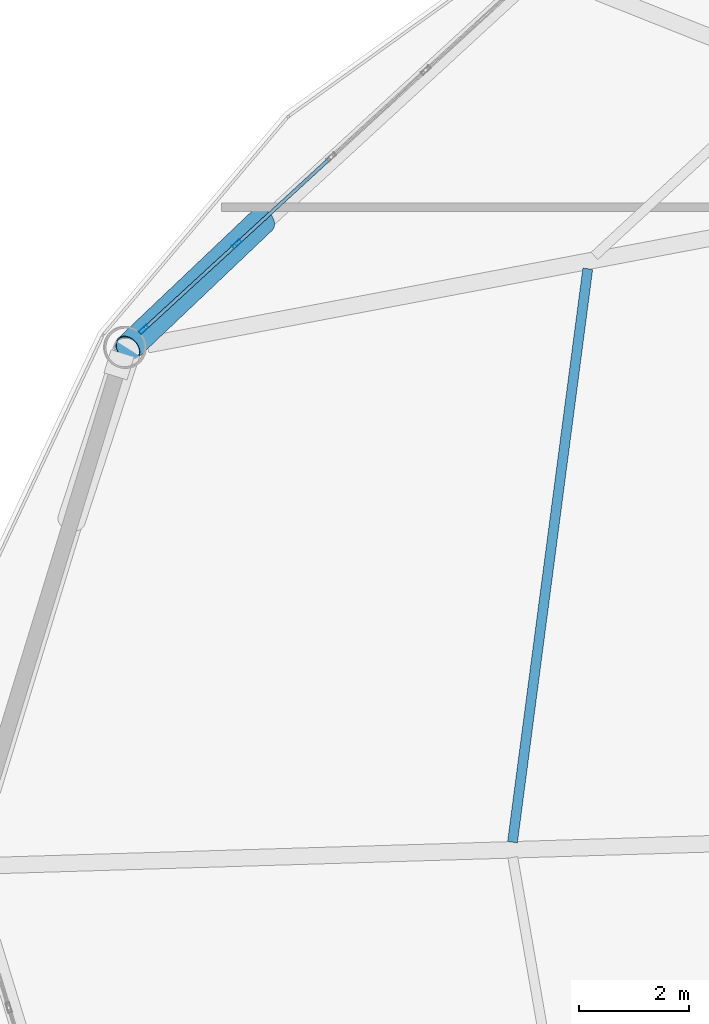
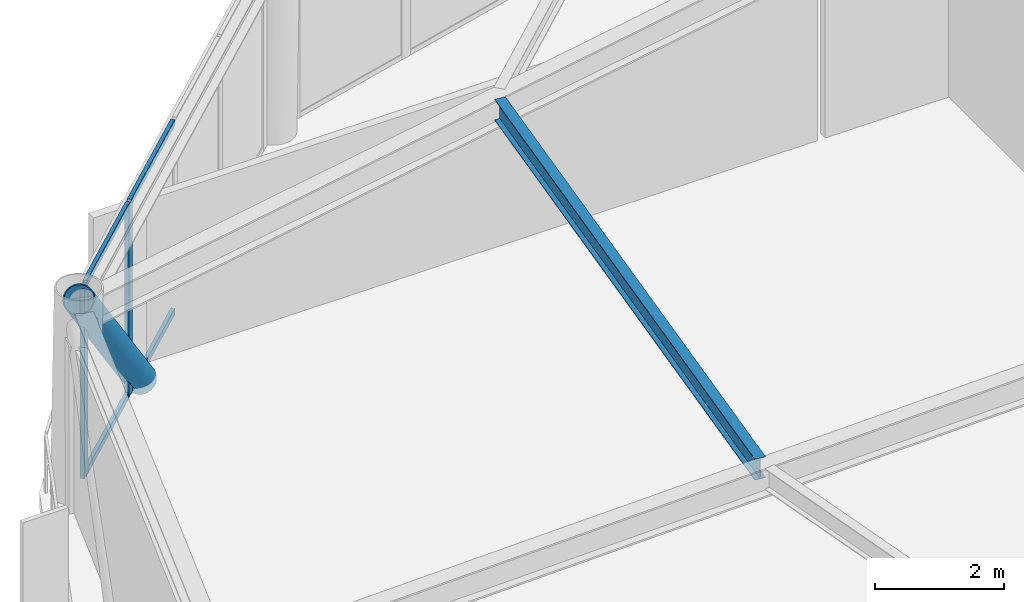
# One storey, part 11 of 26: 7 members, 1 beam, 1 element without a shape of its own.
"""IFC4 building model written with IfcOpenShell, lengths in metres."""

import ifcopenshell
import ifcopenshell.guid

model = None  # the IFC model being written
_history = None  # IfcOwnerHistory: only IFC2X3 demands one
_inside = {}  # id of a spatial element -> (the spatial element, [elements in it])
_under = {}  # id of a project, library or spatial element -> (it, [spatial elements below it])
_declared = {}  # id of a project -> (the project, [libraries it declares])
_typed = {}  # id of a type object -> (the type object, [elements of that type])
_made_of = {}  # id of a material, layer set ... -> (it, [elements and type objects made of it])


def new_model(schema):
    """Start an empty IFC model of exactly this schema.

    Asked for "IFC4X3", IfcOpenShell would pick the latest addendum, in which some entities
    have other attributes; the version numbers below select the first issue.
    IFC2X3 requires an IfcOwnerHistory on every rooted entity: one is made here for all.
    """
    global model, _history
    if schema == "IFC4X3":
        model = ifcopenshell.file(schema_version=(4, 3, 0, 0))
    else:
        model = ifcopenshell.file(schema=schema)
    _inside.clear()
    _under.clear()
    _declared.clear()
    _typed.clear()
    _made_of.clear()
    _history = None
    if model.schema == "IFC2X3":
        org = make("IfcOrganization", Name="unknown")
        user = make(
            "IfcPersonAndOrganization",
            ThePerson=make("IfcPerson", FamilyName="unknown"),
            TheOrganization=org,
        )
        app = make(
            "IfcApplication",
            ApplicationDeveloper=org,
            Version="unknown",
            ApplicationFullName="unknown",
            ApplicationIdentifier="unknown",
        )
        _history = make(
            "IfcOwnerHistory",
            OwningUser=user,
            OwningApplication=app,
            ChangeAction="ADDED",
            CreationDate=0,
        )
    return model


def make(cls, **values):
    """One entity of the class cls with the attributes given. An attribute that is None is left unset."""
    return model.create_entity(
        cls, **{name: value for name, value in values.items() if value is not None}
    )


def rooted(cls, **values):
    """An entity with a GlobalId (a new one), such as an element, a storey or a relation."""
    return make(cls, GlobalId=ifcopenshell.guid.new(), OwnerHistory=_history, **values)


def si_unit(unit_type, name, prefix=None):
    """IfcSIUnit, for example si_unit("LENGTHUNIT", "METRE", prefix="MILLI")."""
    return make("IfcSIUnit", UnitType=unit_type, Prefix=prefix, Name=name)


def assignment(units):
    """IfcUnitAssignment: the units of a project."""
    return None if units is None else make("IfcUnitAssignment", Units=units)


def point(xyz):
    """IfcCartesianPoint."""
    return None if xyz is None else make("IfcCartesianPoint", Coordinates=xyz)


def direction(xyz):
    """IfcDirection."""
    return None if xyz is None else make("IfcDirection", DirectionRatios=xyz)


def frame(location, z_axis=None, x_axis=None):
    """IfcAxis2Placement3D, a coordinate frame: its origin and axes. An axis left out is left unset."""
    return make(
        "IfcAxis2Placement3D",
        Location=point(location),
        Axis=direction(z_axis),
        RefDirection=direction(x_axis),
    )


def frame_2d(location, x_axis=None):
    """IfcAxis2Placement2D, a coordinate frame in the plane: its origin and x axis."""
    return make(
        "IfcAxis2Placement2D", Location=point(location), RefDirection=direction(x_axis)
    )


def origin():
    """The frame at (0, 0, 0) with its axes left unset."""
    return frame((0.0, 0.0, 0.0))


def origin_2d():
    """The frame at (0, 0) in the plane with its x axis left unset."""
    return frame_2d((0.0, 0.0))


def place(relative_to, where):
    """IfcLocalPlacement: puts the frame where relative to a parent placement (None: the world)."""
    return make(
        "IfcLocalPlacement", PlacementRelTo=relative_to, RelativePlacement=where
    )


def context(
    kind, dimensions, precision=None, world=None, true_north=None, identifier=None
):
    """IfcGeometricRepresentationContext, for example the 3D "Model" context."""
    return make(
        "IfcGeometricRepresentationContext",
        ContextIdentifier=identifier,
        ContextType=kind,
        CoordinateSpaceDimension=dimensions,
        Precision=precision,
        WorldCoordinateSystem=world,
        TrueNorth=true_north,
    )


def subcontext(parent, identifier, kind, view, scale=None):
    """IfcGeometricRepresentationSubContext, for example "Body" below "Model"."""
    return make(
        "IfcGeometricRepresentationSubContext",
        ContextIdentifier=identifier,
        ContextType=kind,
        ParentContext=parent,
        TargetScale=scale,
        TargetView=view,
    )


def project(units=None, contexts=None):
    """IfcProject with its units and contexts."""
    return rooted(
        "IfcProject",
        Name="project",
        RepresentationContexts=contexts,
        UnitsInContext=assignment(units),
    )


def spatial(cls, under=None, at=None, **own):
    """A site, building, storey or space (cls), placed at a placement, below another one or the project."""
    s = rooted(cls, ObjectPlacement=at, **own)
    if under is not None:
        _under.setdefault(under.id(), (under, []))[1].append(s)
    return s


def profile(cls, at=None, kind="AREA", **sizes):
    """A parametric profile (cls). Its sizes go by their IFC names, for example OverallWidth=200.0."""
    return make(cls, ProfileType=kind, Position=at, **sizes)


def hollow_rectangle(**sizes):
    """IfcRectangleHollowProfileDef."""
    return profile("IfcRectangleHollowProfileDef", **sizes)


def hollow_circle(**sizes):
    """IfcCircleHollowProfileDef."""
    return profile("IfcCircleHollowProfileDef", **sizes)


def i_section(**sizes):
    """IfcIShapeProfileDef."""
    return profile("IfcIShapeProfileDef", **sizes)


def extrude(swept, where, along, depth):
    """IfcExtrudedAreaSolid: the profile swept, set in the frame where, extruded along a direction by depth."""
    return make(
        "IfcExtrudedAreaSolid",
        SweptArea=swept,
        Position=where,
        ExtrudedDirection=direction(along),
        Depth=depth,
    )


def shape(context_of_items, identifier, shape_type, items):
    """IfcShapeRepresentation: the items that make up one representation, for example the "Body"."""
    return make(
        "IfcShapeRepresentation",
        ContextOfItems=context_of_items,
        RepresentationIdentifier=identifier,
        RepresentationType=shape_type,
        Items=items,
    )


def material(Name=None, Category=None):
    """IfcMaterial."""
    return make("IfcMaterial", Name=Name, Category=Category)


def layer(
    of_material, thickness, ventilated=None, Name=None, Category=None, Priority=None
):
    """IfcMaterialLayer: one layer of a wall or slab, of a material (None: an air gap)."""
    return make(
        "IfcMaterialLayer",
        Material=of_material,
        LayerThickness=thickness,
        IsVentilated=ventilated,
        Name=Name,
        Category=Category,
        Priority=Priority,
    )


def layer_set(layers, Name=None):
    """IfcMaterialLayerSet."""
    return make("IfcMaterialLayerSet", MaterialLayers=layers, LayerSetName=Name)


def material_profile(
    of_material, cross_section, Name=None, Category=None, Priority=None
):
    """IfcMaterialProfile: a cross section and its material."""
    return make(
        "IfcMaterialProfile",
        Name=Name,
        Material=of_material,
        Profile=cross_section,
        Priority=Priority,
        Category=Category,
    )


def profile_set(profiles, Name=None, composite=None):
    """IfcMaterialProfileSet."""
    return make(
        "IfcMaterialProfileSet",
        Name=Name,
        MaterialProfiles=profiles,
        CompositeProfile=composite,
    )


def made_of(thing, what):
    """Note that an element or type object is made of a material, layer set ...; save() writes the relation."""
    if what is not None:
        _made_of.setdefault(what.id(), (what, []))[1].append(thing)
    return thing


def type_object(cls, material=None, **own):
    """A type object (cls), such as IfcWallType, which elements share."""
    return made_of(rooted(cls, **own), material)


def element(
    cls,
    number,
    at=None,
    inside=None,
    cuts=None,
    type_object=None,
    material=None,
    context=None,
    identifier="Body",
    shape_type=None,
    held_by="IfcProductDefinitionShape",
    body=None,
    shapes=None,
    **own,
):
    """One element of the class cls, such as IfcWall. Its Tag is "e" and its number.

    at: its placement. inside: the storey or other place that contains it. cuts: it is an
    opening in that element (IfcRelVoidsElement). A single representation is given by context,
    identifier, shape_type and body (its items); several are given by shapes. held_by: the class
    of the entity that holds the representations. save() writes the other relations.
    """
    e = rooted(cls, Tag="e%d" % number, ObjectPlacement=at, **own)
    if body is not None:
        shapes = [shape(context, identifier, shape_type, body)]
    if shapes is not None:
        e.Representation = make(held_by, Representations=shapes)
    if inside is not None:
        _inside.setdefault(inside.id(), (inside, []))[1].append(e)
    if cuts is not None:
        rooted(
            "IfcRelVoidsElement", RelatingBuildingElement=cuts, RelatedOpeningElement=e
        )
    if type_object is not None:
        _typed.setdefault(type_object.id(), (type_object, []))[1].append(e)
    return made_of(e, material)


def aggregate(whole, parts):
    """IfcRelAggregates: a whole, such as a stair, and the parts it consists of."""
    return rooted("IfcRelAggregates", RelatingObject=whole, RelatedObjects=parts)


def save(model, path):
    """Write the relations noted so far, then the file.

    IfcRelAggregates (storeys below a building ...), IfcRelContainedInSpatialStructure (elements
    in a storey), IfcRelDefinesByType, IfcRelAssociatesMaterial and IfcRelDeclares: one each for
    every whole, place, type object, material and project.
    """
    for whole, parts in _under.values():
        aggregate(whole, parts)
    for where, things in _inside.values():
        rooted(
            "IfcRelContainedInSpatialStructure",
            RelatedElements=things,
            RelatingStructure=where,
        )
    for kind, things in _typed.values():
        rooted("IfcRelDefinesByType", RelatedObjects=things, RelatingType=kind)
    for what, things in _made_of.values():
        rooted("IfcRelAssociatesMaterial", RelatedObjects=things, RelatingMaterial=what)
    for by, libraries in _declared.values():
        rooted("IfcRelDeclares", RelatingContext=by, RelatedDefinitions=libraries)
    model.write(path)


model = new_model("IFC4")

# Units and contexts
model_context = context("Model", 3, precision=1e-05, world=origin(), true_north=direction((0.0, 1.0)))
body_context = subcontext(model_context, "Body", "Model", "MODEL_VIEW")
ifc_project = project(units=[si_unit("LENGTHUNIT", "METRE"), si_unit("AREAUNIT", "SQUARE_METRE"), si_unit("VOLUMEUNIT", "CUBIC_METRE"), si_unit("PLANEANGLEUNIT", "RADIAN"), si_unit("MASSUNIT", "GRAM", prefix="KILO")], contexts=[model_context])

# Site, building, storey
site_placement = place(None, origin())
site = spatial("IfcSite", under=ifc_project, at=site_placement, CompositionType="ELEMENT")
building_placement = place(site_placement, origin())
building = spatial("IfcBuilding", under=site, at=building_placement, Name="Varnakorn Sky Granary", CompositionType="ELEMENT")
storey_placement = place(building_placement, frame((0.0, 0.0, 153.89990234375)))
storey = spatial("IfcBuildingStorey", under=building, at=storey_placement, Name="L38", CompositionType="ELEMENT", Elevation=153.89990234375)

# Beam
ifc_material_1 = material(Name="Steel S355JR", Category="steel")
ifc_material_profile_1 = material_profile(ifc_material_1, i_section(OverallWidth=0.179931640625, OverallDepth=0.39990234375, WebThickness=0.008544921875, FlangeThickness=0.013427734375, at=origin_2d()), Name="IPE 400")
ifc_profile_set_1 = profile_set([ifc_material_profile_1], Name="Steel S355JR")
beam_type = type_object("IfcBeamType", Name="BM-SEC-Z3", PredefinedType="BEAM", material=ifc_profile_set_1)
beam_placement = place(storey_placement, frame((-10.887939453125, 10.880615234375, 3.440185546875), z_axis=(-0.130157690885, -0.991493305829, 0.0), x_axis=(0.991493305829, -0.130157690885, 0.0)))
element("IfcBeam", 1, at=beam_placement, inside=storey, type_object=beam_type, Name="Secondary Floor Chord Beam MSB06 L38", PredefinedType="BEAM", context=body_context, shape_type="SweptSolid", body=[
    extrude(i_section(OverallWidth=0.179931640625, OverallDepth=0.39990234375, WebThickness=0.008544921875, FlangeThickness=0.013427734375, at=origin_2d()), origin(), (0.0, 0.0, 1.0), 10.5322265625),
])

# Curtain wall, members
ifc_material_2 = material(Name="Anodised Bronze Aluminium Alloy 6063-T6", Category="aluminium")
ifc_layer = layer(ifc_material_2, 0.179931640625, Name="Anodised Bronze Aluminium Alloy 6063-T6")
ifc_layer_set = layer_set([ifc_layer], Name="Anodised Bronze Aluminium Alloy 6063-T6")
curtain_wall_type = type_object("IfcCurtainWallType", Name="CW-FRM-2", PredefinedType="USERDEFINED", material=ifc_layer_set)
curtain_wall_placement = place(storey_placement, origin())
curtain_wall = element("IfcCurtainWall", 2, at=curtain_wall_placement, inside=storey, type_object=curtain_wall_type, Name="Unitised Curtain Wall CW4 CW-L38-B05", ObjectType="CURTAIN WALL", PredefinedType="USERDEFINED")
ifc_material_profile_2 = material_profile(ifc_material_2, hollow_rectangle(XDim=0.070068359375, YDim=0.18505859375, WallThickness=0.00390625, at=origin_2d()), Name="ALU MULL 70x185")
ifc_profile_set_2 = profile_set([ifc_material_profile_2], Name="Anodised Bronze Aluminium Alloy 6063-T6")
member_type_1 = type_object("IfcMemberType", Name="CW-FRM-2-MULL", PredefinedType="MULLION", material=ifc_profile_set_2)
member_1_placement = place(storey_placement, frame((-18.973876953125, 9.7744140625, 0.0), z_axis=(0.0, 0.0, 1.0), x_axis=(-0.676471797865, 0.736468537477, 0.0)))
member_1 = element("IfcMember", 3, at=member_1_placement, type_object=member_type_1, Name="CW4 mullion 1", PredefinedType="MULLION", context=body_context, shape_type="SweptSolid", body=[
    extrude(hollow_rectangle(XDim=0.070068359375, YDim=0.18505859375, WallThickness=0.00390625, at=origin_2d()), origin(), (0.0, 0.0, 1.0), 3.64013671875),
])
member_2_placement = place(storey_placement, frame((-17.27880859375, 11.33154296875, 0.0), z_axis=(0.0, 0.0, 1.0), x_axis=(-0.676471797865, 0.736468537477, 0.0)))
member_2 = element("IfcMember", 4, at=member_2_placement, type_object=member_type_1, Name="CW4 mullion 2", PredefinedType="MULLION", context=body_context, shape_type="SweptSolid", body=[
    extrude(hollow_rectangle(XDim=0.070068359375, YDim=0.18505859375, WallThickness=0.00390625, at=origin_2d()), origin(), (0.0, 0.0, 1.0), 3.64013671875),
])
ifc_material_profile_3 = material_profile(ifc_material_2, hollow_rectangle(XDim=0.06494140625, YDim=0.1201171875, WallThickness=0.00341796875, at=origin_2d()), Name="ALU TRAN 65x120")
ifc_profile_set_3 = profile_set([ifc_material_profile_3], Name="Anodised Bronze Aluminium Alloy 6063-T6")
member_type_2 = type_object("IfcMemberType", Name="CW-FRM-2-TRAN", PredefinedType="USERDEFINED", material=ifc_profile_set_3)
member_3_placement = place(storey_placement, frame((-18.9482421875, 9.798095703125, 0.03271484375), z_axis=(0.736495410887, 0.676442539867, 0.0), x_axis=(-0.676442539867, 0.736495410887, 0.0)))
member_3 = element("IfcMember", 5, at=member_3_placement, type_object=member_type_2, Name="CW4 transom 1.1", ObjectType="TRANSOM", PredefinedType="USERDEFINED", context=body_context, shape_type="SweptSolid", body=[
    extrude(hollow_rectangle(XDim=0.06494140625, YDim=0.1201171875, WallThickness=0.00341796875, at=origin_2d()), origin(), (0.0, 0.0, 1.0), 2.23193359375),
])
member_4_placement = place(storey_placement, frame((-18.9482421875, 9.798095703125, 3.607666015625), z_axis=(0.736495410887, 0.676442539867, 0.0), x_axis=(-0.676442539867, 0.736495410887, 0.0)))
member_4 = element("IfcMember", 6, at=member_4_placement, type_object=member_type_2, Name="CW4 transom 1.2", ObjectType="TRANSOM", PredefinedType="USERDEFINED", context=body_context, shape_type="SweptSolid", body=[
    extrude(hollow_rectangle(XDim=0.06494140625, YDim=0.1201171875, WallThickness=0.00341796875, at=origin_2d()), origin(), (0.0, 0.0, 1.0), 2.23193359375),
])
member_5_placement = place(storey_placement, frame((-17.2529296875, 11.355224609375, 0.03271484375), z_axis=(0.736465278556, 0.676475345804, 0.0), x_axis=(-0.676475345804, 0.736465278556, 0.0)))
member_5 = element("IfcMember", 7, at=member_5_placement, type_object=member_type_2, Name="CW4 transom 2.1", ObjectType="TRANSOM", PredefinedType="USERDEFINED", context=body_context, shape_type="SweptSolid", body=[
    extrude(hollow_rectangle(XDim=0.06494140625, YDim=0.1201171875, WallThickness=0.00341796875, at=origin_2d()), origin(), (0.0, 0.0, 1.0), 2.266845703125),
])
member_6_placement = place(storey_placement, frame((-17.2529296875, 11.355224609375, 3.607666015625), z_axis=(0.736465278556, 0.676475345804, 0.0), x_axis=(-0.676475345804, 0.736465278556, 0.0)))
member_6 = element("IfcMember", 8, at=member_6_placement, type_object=member_type_2, Name="CW4 transom 2.2", ObjectType="TRANSOM", PredefinedType="USERDEFINED", context=body_context, shape_type="SweptSolid", body=[
    extrude(hollow_rectangle(XDim=0.06494140625, YDim=0.1201171875, WallThickness=0.00341796875, at=origin_2d()), origin(), (0.0, 0.0, 1.0), 2.266845703125),
])
aggregate(curtain_wall, [member_1, member_2, member_3, member_4, member_5, member_6])

# Member
ifc_material_3 = material(Name="Steel S460M", Category="steel")
ifc_material_profile_4 = material_profile(ifc_material_3, hollow_circle(Radius=0.25390625, WallThickness=0.01806640625, at=origin_2d()), Name="CHS 508x18")
ifc_profile_set_4 = profile_set([ifc_material_profile_4], Name="Steel S460M")
member_type_3 = type_object("IfcMemberType", Name="MB-DIAG-T2", PredefinedType="BRACE", material=ifc_profile_set_4)
member_7_placement = place(storey_placement, frame((-16.813232421875, 11.759033203125, -0.1298828125), z_axis=(-0.484309853388, -0.459971463901, 0.744224575184), x_axis=(0.688652742673, -0.725091304602, 0.0)))
element("IfcMember", 9, at=member_7_placement, inside=storey, type_object=member_type_3, Name="Perimeter CHS Diagrid Brace DG05 L38", PredefinedType="BRACE", context=body_context, shape_type="SweptSolid", body=[
    extrude(hollow_circle(Radius=0.25390625, WallThickness=0.01806640625, at=origin_2d()), origin(), (0.0, 0.0, 1.0), 5.065673828125),
])

save(model, "model.ifc")
